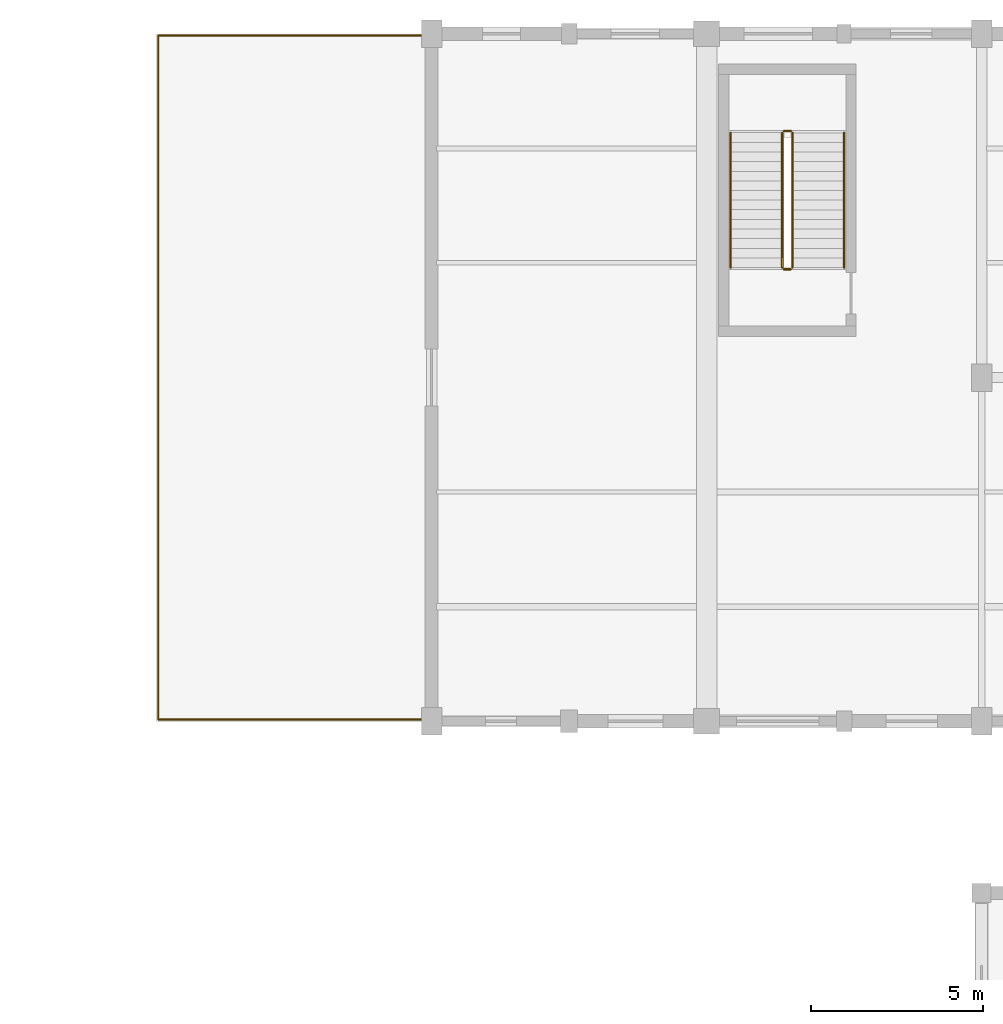
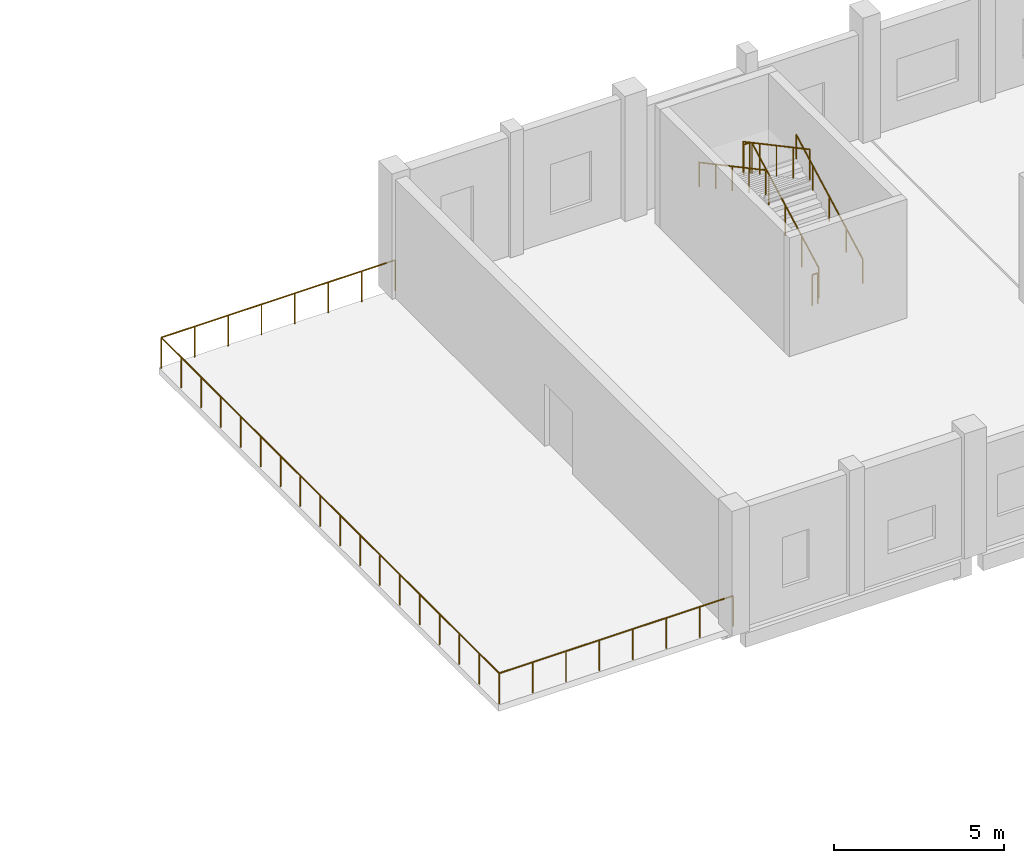
# One storey, part 74 of 77: 7 railings.
"""IFC4 building model written with IfcOpenShell, lengths in metres."""

from ifc_helpers import new_model, si_unit, direction, frame, origin, origin_2d, place, context, subcontext, project, spatial, circle, extrude, material, type_object, element, save


model = new_model("IFC4")

# Units and contexts
model_context = context("Model", 3, precision=1e-05, world=origin(), true_north=direction((0.0, 1.0)))
body_context = subcontext(model_context, "Body", "Model", "MODEL_VIEW")
ifc_project = project(units=[si_unit("LENGTHUNIT", "METRE"), si_unit("AREAUNIT", "SQUARE_METRE"), si_unit("VOLUMEUNIT", "CUBIC_METRE"), si_unit("PLANEANGLEUNIT", "RADIAN"), si_unit("MASSUNIT", "GRAM", prefix="KILO")], contexts=[model_context])

# Site, building, storey
site_placement = place(None, origin())
site = spatial("IfcSite", under=ifc_project, at=site_placement, CompositionType="ELEMENT")
building_placement = place(site_placement, origin())
building = spatial("IfcBuilding", under=site, at=building_placement, Name="Luwemba Playhouse", CompositionType="ELEMENT")
storey_placement = place(building_placement, frame((0.0, 0.0, 9.300048828125)))
storey = spatial("IfcBuildingStorey", under=building, at=storey_placement, Name="L02", CompositionType="ELEMENT", Elevation=9.300048828125)

# Railings
ifc_material_1 = material(Name="Painted wrought-iron balustrade", Category="steel")
railing_type_1 = type_object("IfcRailingType", Name="RLG-BAL-EXT", PredefinedType="BALUSTRADE", material=ifc_material_1)
railing_1_placement = place(storey_placement, frame((116.0, 95.050048828125, 0.0)))
element("IfcRailing", 1, at=railing_1_placement, inside=storey, type_object=railing_type_1, Name="L02 Conservatory Terrace Level 2 perimeter guard", PredefinedType="BALUSTRADE", context=body_context, shape_type="SweptSolid", body=[
    extrude(circle(Radius=0.02392578125, at=origin_2d()), frame((0.0, 0.0, 1.09619140625), z_axis=(-1.0, 0.0, 0.0), x_axis=(0.0, -1.0, 0.0)), (0.0, 0.0, 1.0), 7.949951171875),
    extrude(circle(Radius=0.02392578125, at=origin_2d()), frame((-7.949951171875, 0.0, 1.09619140625), z_axis=(0.0, 1.0, 0.0), x_axis=(-1.0, 0.0, 0.0)), (0.0, 0.0, 1.0), 19.89990234375),
    extrude(circle(Radius=0.02392578125, at=origin_2d()), frame((-7.949951171875, 19.89990234375, 1.09619140625), z_axis=(1.0, 0.0, 0.0), x_axis=(0.0, 1.0, 0.0)), (0.0, 0.0, 1.0), 7.949951171875),
    extrude(circle(Radius=0.02099609375, at=origin_2d()), origin(), (0.0, 0.0, 1.0), 1.072021484375),
    extrude(circle(Radius=0.02099609375, at=origin_2d()), frame((-1.1357421875, 0.0, 0.0)), (0.0, 0.0, 1.0), 1.072021484375),
    extrude(circle(Radius=0.02099609375, at=origin_2d()), frame((-2.271484375, 0.0, 0.0)), (0.0, 0.0, 1.0), 1.072021484375),
    extrude(circle(Radius=0.02099609375, at=origin_2d()), frame((-3.4072265625, 0.0, 0.0)), (0.0, 0.0, 1.0), 1.072021484375),
    extrude(circle(Radius=0.02099609375, at=origin_2d()), frame((-4.542724609375, 0.0, 0.0)), (0.0, 0.0, 1.0), 1.072021484375),
    extrude(circle(Radius=0.02099609375, at=origin_2d()), frame((-5.678466796875, 0.0, 0.0)), (0.0, 0.0, 1.0), 1.072021484375),
    extrude(circle(Radius=0.02099609375, at=origin_2d()), frame((-6.814208984375, 0.0, 0.0)), (0.0, 0.0, 1.0), 1.072021484375),
    extrude(circle(Radius=0.02099609375, at=origin_2d()), frame((-7.949951171875, 0.0, 0.0)), (0.0, 0.0, 1.0), 1.072021484375),
    extrude(circle(Radius=0.02099609375, at=origin_2d()), frame((-7.949951171875, 1.170654296875, 0.0)), (0.0, 0.0, 1.0), 1.072021484375),
    extrude(circle(Radius=0.02099609375, at=origin_2d()), frame((-7.949951171875, 2.341064453125, 0.0)), (0.0, 0.0, 1.0), 1.072021484375),
    extrude(circle(Radius=0.02099609375, at=origin_2d()), frame((-7.949951171875, 3.51171875, 0.0)), (0.0, 0.0, 1.0), 1.072021484375),
    extrude(circle(Radius=0.02099609375, at=origin_2d()), frame((-7.949951171875, 4.682373046875, 0.0)), (0.0, 0.0, 1.0), 1.072021484375),
    extrude(circle(Radius=0.02099609375, at=origin_2d()), frame((-7.949951171875, 5.85302734375, 0.0)), (0.0, 0.0, 1.0), 1.072021484375),
    extrude(circle(Radius=0.02099609375, at=origin_2d()), frame((-7.949951171875, 7.0234375, 0.0)), (0.0, 0.0, 1.0), 1.072021484375),
    extrude(circle(Radius=0.02099609375, at=origin_2d()), frame((-7.949951171875, 8.194091796875, 0.0)), (0.0, 0.0, 1.0), 1.072021484375),
    extrude(circle(Radius=0.02099609375, at=origin_2d()), frame((-7.949951171875, 9.36474609375, 0.0)), (0.0, 0.0, 1.0), 1.072021484375),
    extrude(circle(Radius=0.02099609375, at=origin_2d()), frame((-7.949951171875, 10.53515625, 0.0)), (0.0, 0.0, 1.0), 1.072021484375),
    extrude(circle(Radius=0.02099609375, at=origin_2d()), frame((-7.949951171875, 11.705810546875, 0.0)), (0.0, 0.0, 1.0), 1.072021484375),
    extrude(circle(Radius=0.02099609375, at=origin_2d()), frame((-7.949951171875, 12.87646484375, 0.0)), (0.0, 0.0, 1.0), 1.072021484375),
    extrude(circle(Radius=0.02099609375, at=origin_2d()), frame((-7.949951171875, 14.046875, 0.0)), (0.0, 0.0, 1.0), 1.072021484375),
    extrude(circle(Radius=0.02099609375, at=origin_2d()), frame((-7.949951171875, 15.217529296875, 0.0)), (0.0, 0.0, 1.0), 1.072021484375),
    extrude(circle(Radius=0.02099609375, at=origin_2d()), frame((-7.949951171875, 16.38818359375, 0.0)), (0.0, 0.0, 1.0), 1.072021484375),
    extrude(circle(Radius=0.02099609375, at=origin_2d()), frame((-7.949951171875, 17.558837890625, 0.0)), (0.0, 0.0, 1.0), 1.072021484375),
    extrude(circle(Radius=0.02099609375, at=origin_2d()), frame((-7.949951171875, 18.729248046875, 0.0)), (0.0, 0.0, 1.0), 1.072021484375),
    extrude(circle(Radius=0.02099609375, at=origin_2d()), frame((-7.949951171875, 19.89990234375, 0.0)), (0.0, 0.0, 1.0), 1.072021484375),
    extrude(circle(Radius=0.02099609375, at=origin_2d()), frame((-6.814208984375, 19.89990234375, 0.0)), (0.0, 0.0, 1.0), 1.072021484375),
    extrude(circle(Radius=0.02099609375, at=origin_2d()), frame((-5.678466796875, 19.89990234375, 0.0)), (0.0, 0.0, 1.0), 1.072021484375),
    extrude(circle(Radius=0.02099609375, at=origin_2d()), frame((-4.542724609375, 19.89990234375, 0.0)), (0.0, 0.0, 1.0), 1.072021484375),
    extrude(circle(Radius=0.02099609375, at=origin_2d()), frame((-3.4072265625, 19.89990234375, 0.0)), (0.0, 0.0, 1.0), 1.072021484375),
    extrude(circle(Radius=0.02099609375, at=origin_2d()), frame((-2.271484375, 19.89990234375, 0.0)), (0.0, 0.0, 1.0), 1.072021484375),
    extrude(circle(Radius=0.02099609375, at=origin_2d()), frame((-1.1357421875, 19.89990234375, 0.0)), (0.0, 0.0, 1.0), 1.072021484375),
    extrude(circle(Radius=0.02099609375, at=origin_2d()), frame((0.0, 19.89990234375, 0.0)), (0.0, 0.0, 1.0), 1.072021484375),
])
ifc_material_2 = material(Name="Painted wrought-iron gallery balustrade", Category="steel")
railing_type_2 = type_object("IfcRailingType", Name="RLG-BAL-INT", PredefinedType="BALUSTRADE", material=ifc_material_2)
railing_2_placement = place(storey_placement, frame((126.5, 108.199951171875, 0.14990234375)))
element("IfcRailing", 2, at=railing_2_placement, inside=storey, type_object=railing_type_2, Name="L02 ST-16 stair guard 1", PredefinedType="BALUSTRADE", context=body_context, shape_type="SweptSolid", body=[
    extrude(circle(Radius=0.02392578125, at=origin_2d()), frame((0.0, 0.0, 1.09619140625), z_axis=(0.0, 0.881479153919, 0.472222935917), x_axis=(-1.0, 0.0, 0.0)), (0.0, 0.0, 1.0), 4.447265625),
    extrude(circle(Radius=0.02099609375, at=origin_2d()), origin(), (0.0, 0.0, 1.0), 1.072021484375),
    extrude(circle(Radius=0.02099609375, at=origin_2d()), frame((0.0, 0.97998046875, 0.52490234375)), (0.0, 0.0, 1.0), 1.072021484375),
    extrude(circle(Radius=0.02099609375, at=origin_2d()), frame((0.0, 1.9599609375, 1.050048828125)), (0.0, 0.0, 1.0), 1.072021484375),
    extrude(circle(Radius=0.02099609375, at=origin_2d()), frame((0.0, 2.940185546875, 1.5751953125)), (0.0, 0.0, 1.0), 1.072021484375),
    extrude(circle(Radius=0.02099609375, at=origin_2d()), frame((0.0, 3.920166015625, 2.10009765625)), (0.0, 0.0, 1.0), 1.072021484375),
])
railing_3_placement = place(storey_placement, frame((126.449951171875, 112.169921875, 2.25)))
element("IfcRailing", 3, at=railing_3_placement, inside=storey, type_object=railing_type_2, Name="L02 ST-16 stair guard 2", PredefinedType="BALUSTRADE", context=body_context, shape_type="SweptSolid", body=[
    extrude(circle(Radius=0.02392578125, at=origin_2d()), frame((0.0, 0.0, 1.09619140625), z_axis=(-1.0, 0.0, 0.0), x_axis=(0.0, -1.0, 0.0)), (0.0, 0.0, 1.0), 0.199951171875),
    extrude(circle(Radius=0.02099609375, at=origin_2d()), origin(), (0.0, 0.0, 1.0), 1.072021484375),
    extrude(circle(Radius=0.02099609375, at=origin_2d()), frame((-0.199951171875, 0.0, 0.0)), (0.0, 0.0, 1.0), 1.072021484375),
])
railing_4_placement = place(storey_placement, frame((126.199951171875, 112.1201171875, 2.39990234375)))
element("IfcRailing", 4, at=railing_4_placement, inside=storey, type_object=railing_type_2, Name="L02 ST-16 stair guard 3", PredefinedType="BALUSTRADE", context=body_context, shape_type="SweptSolid", body=[
    extrude(circle(Radius=0.02392578125, at=origin_2d()), frame((0.0, 0.0, 1.09619140625), z_axis=(0.0, -0.881479153919, 0.472222935917), x_axis=(1.0, 0.0, 0.0)), (0.0, 0.0, 1.0), 4.447265625),
    extrude(circle(Radius=0.02099609375, at=origin_2d()), origin(), (0.0, 0.0, 1.0), 1.072021484375),
    extrude(circle(Radius=0.02099609375, at=origin_2d()), frame((0.0, -0.97998046875, 0.52490234375)), (0.0, 0.0, 1.0), 1.072021484375),
    extrude(circle(Radius=0.02099609375, at=origin_2d()), frame((0.0, -1.9599609375, 1.050048828125)), (0.0, 0.0, 1.0), 1.072021484375),
    extrude(circle(Radius=0.02099609375, at=origin_2d()), frame((0.0, -2.940185546875, 1.5751953125)), (0.0, 0.0, 1.0), 1.072021484375),
    extrude(circle(Radius=0.02099609375, at=origin_2d()), frame((0.0, -3.920166015625, 2.10009765625)), (0.0, 0.0, 1.0), 1.072021484375),
])
railing_5_placement = place(storey_placement, frame((126.449951171875, 108.14990234375, 0.0)))
element("IfcRailing", 5, at=railing_5_placement, inside=storey, type_object=railing_type_2, Name="L02 ST-16 stair guard 4", PredefinedType="BALUSTRADE", context=body_context, shape_type="SweptSolid", body=[
    extrude(circle(Radius=0.02392578125, at=origin_2d()), frame((0.0, 0.0, 1.09619140625), z_axis=(-1.0, 0.0, 0.0), x_axis=(0.0, -1.0, 0.0)), (0.0, 0.0, 1.0), 0.199951171875),
    extrude(circle(Radius=0.02099609375, at=origin_2d()), origin(), (0.0, 0.0, 1.0), 1.072021484375),
    extrude(circle(Radius=0.02099609375, at=origin_2d()), frame((-0.199951171875, 0.0, 0.0)), (0.0, 0.0, 1.0), 1.072021484375),
])
ifc_material_3 = material(Name="Hardwood and bronze handrail", Category="wood")
railing_type_3 = type_object("IfcRailingType", Name="RLG-HR-INT", PredefinedType="HANDRAIL", material=ifc_material_3)
railing_6_placement = place(storey_placement, frame((128.0, 108.199951171875, 0.14990234375)))
element("IfcRailing", 6, at=railing_6_placement, inside=storey, type_object=railing_type_3, Name="L02 ST-16 stair handrail 1", PredefinedType="HANDRAIL", context=body_context, shape_type="SweptSolid", body=[
    extrude(circle(Radius=0.02392578125, at=origin_2d()), frame((0.0, 0.0, 0.8759765625), z_axis=(0.0, 0.881479153919, 0.472222935917), x_axis=(-1.0, 0.0, 0.0)), (0.0, 0.0, 1.0), 4.447265625),
    extrude(circle(Radius=0.02099609375, at=origin_2d()), origin(), (0.0, 0.0, 1.0), 0.851806640625),
    extrude(circle(Radius=0.02099609375, at=origin_2d()), frame((0.0, 0.97998046875, 0.52490234375)), (0.0, 0.0, 1.0), 0.851806640625),
    extrude(circle(Radius=0.02099609375, at=origin_2d()), frame((0.0, 1.9599609375, 1.050048828125)), (0.0, 0.0, 1.0), 0.851806640625),
    extrude(circle(Radius=0.02099609375, at=origin_2d()), frame((0.0, 2.940185546875, 1.5751953125)), (0.0, 0.0, 1.0), 0.851806640625),
    extrude(circle(Radius=0.02099609375, at=origin_2d()), frame((0.0, 3.920166015625, 2.10009765625)), (0.0, 0.0, 1.0), 0.851806640625),
])
railing_7_placement = place(storey_placement, frame((124.699951171875, 112.1201171875, 2.39990234375)))
element("IfcRailing", 7, at=railing_7_placement, inside=storey, type_object=railing_type_3, Name="L02 ST-16 stair handrail 2", PredefinedType="HANDRAIL", context=body_context, shape_type="SweptSolid", body=[
    extrude(circle(Radius=0.02392578125, at=origin_2d()), frame((0.0, 0.0, 0.8759765625), z_axis=(0.0, -0.881479153919, 0.472222935917), x_axis=(1.0, 0.0, 0.0)), (0.0, 0.0, 1.0), 4.447265625),
    extrude(circle(Radius=0.02099609375, at=origin_2d()), origin(), (0.0, 0.0, 1.0), 0.851806640625),
    extrude(circle(Radius=0.02099609375, at=origin_2d()), frame((0.0, -0.97998046875, 0.52490234375)), (0.0, 0.0, 1.0), 0.851806640625),
    extrude(circle(Radius=0.02099609375, at=origin_2d()), frame((0.0, -1.9599609375, 1.050048828125)), (0.0, 0.0, 1.0), 0.851806640625),
    extrude(circle(Radius=0.02099609375, at=origin_2d()), frame((0.0, -2.940185546875, 1.5751953125)), (0.0, 0.0, 1.0), 0.851806640625),
    extrude(circle(Radius=0.02099609375, at=origin_2d()), frame((0.0, -3.920166015625, 2.10009765625)), (0.0, 0.0, 1.0), 0.851806640625),
])

save(model, "model.ifc")
